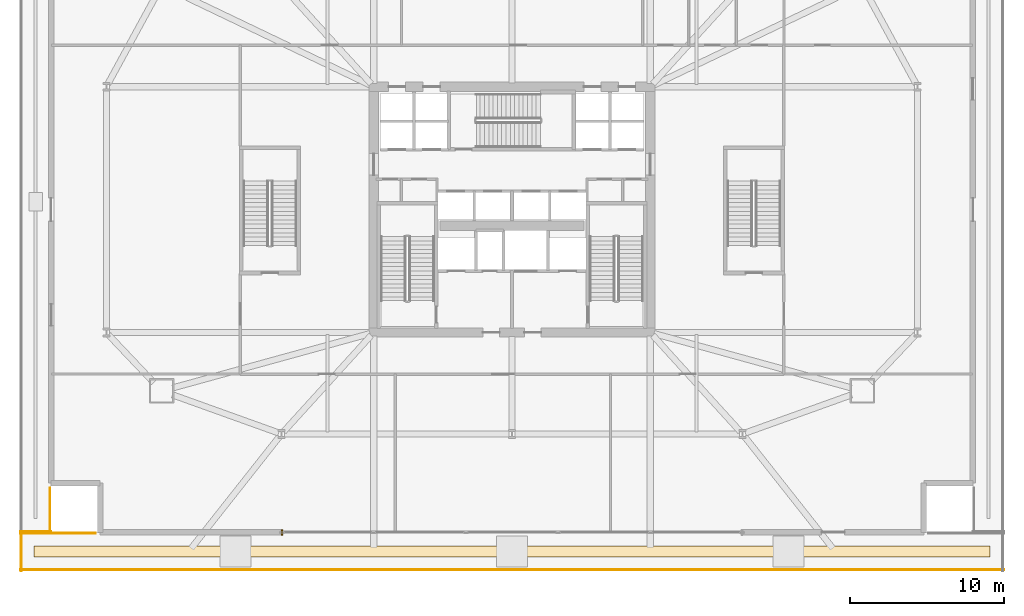
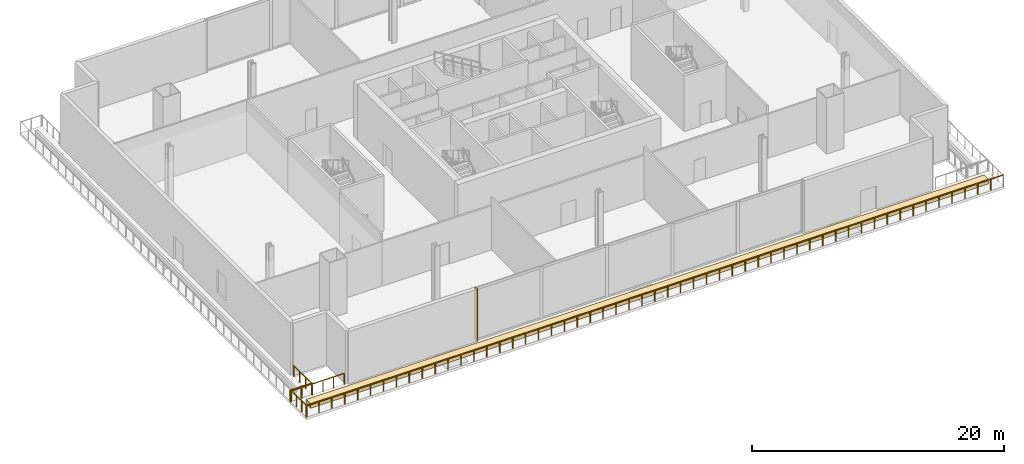
# One storey, part 14 of 20: 5 railings, 2 coverings.
"""IFC4 building model written with IfcOpenShell, lengths in metres."""

from ifc_helpers import new_model, si_unit, direction, frame, origin, origin_2d, place, context, subcontext, project, spatial, polyline, rectangle, outline, extrude, source, transform, mapped, material, layer, layer_set, type_object, element, save


model = new_model("IFC4")

# Units and contexts
model_context = context("Model", 3, precision=1e-05, world=origin(), true_north=direction((0.0, 1.0)))
body_context = subcontext(model_context, "Body", "Model", "MODEL_VIEW")
ifc_project = project(units=[si_unit("LENGTHUNIT", "METRE"), si_unit("AREAUNIT", "SQUARE_METRE"), si_unit("VOLUMEUNIT", "CUBIC_METRE"), si_unit("PLANEANGLEUNIT", "RADIAN"), si_unit("MASSUNIT", "GRAM", prefix="KILO")], contexts=[model_context])

# Site, building, storey
site_placement = place(None, origin())
site = spatial("IfcSite", under=ifc_project, at=site_placement, CompositionType="ELEMENT")
building_placement = place(site_placement, origin())
building = spatial("IfcBuilding", under=site, at=building_placement, Name="Haldenkirk Collegiate Tower", CompositionType="ELEMENT")
storey_placement = place(building_placement, frame((0.0, 0.0, 6.0)))
storey = spatial("IfcBuildingStorey", under=building, at=storey_placement, Name="L01", CompositionType="ELEMENT", Elevation=6.0)

# Covering
ifc_material_1 = material(Name="Precast concrete f'c 40 MPa", Category="concrete")
ifc_layer_1 = layer(ifc_material_1, 0.449951171875)
ifc_layer_set_1 = layer_set([ifc_layer_1], Name="Precast concrete f'c 40 MPa")
covering_type_1 = type_object("IfcCoveringType", Name="COV-PLANTER-450", PredefinedType="USERDEFINED", material=ifc_layer_set_1)
covering_1_placement = place(storey_placement, origin())
element("IfcCovering", 1, at=covering_1_placement, inside=storey, type_object=covering_type_1, Name="L01 planted garden planter bed", ObjectType="PLANTER", PredefinedType="USERDEFINED", context=body_context, shape_type="SweptSolid", body=[
    extrude(outline(polyline([(4.89990234375, 3.39990234375), (4.89990234375, 4.10009765625), (67.10009765625, 4.10009765625), (67.10009765625, 3.39990234375), (4.89990234375, 3.39990234375)])), origin(), (0.0, 0.0, 1.0), 0.449951171875),
])

# Railings
ifc_material_2 = material(Name="Anodised architectural bronze aluminium", Category="aluminium")
railing_type = type_object("IfcRailingType", Name="RLG-TERR-BALUSTRADE-1100", PredefinedType="BALUSTRADE", material=ifc_material_2)
railing_1_placement = place(storey_placement, frame((4.0, 2.56005859375, 0.0)))
element("IfcRailing", 2, at=railing_1_placement, inside=storey, type_object=railing_type, Name="L01 terrace guard balustrade 1-1", PredefinedType="BALUSTRADE", context=body_context, shape_type="SweptSolid", body=[
    extrude(rectangle(XDim=0.048095703125, YDim=0.048095703125, at=origin_2d()), frame((0.0, 0.0, 1.076171875), z_axis=(1.0, 0.0, 0.0), x_axis=(0.0, 1.0, 0.0)), (0.0, 0.0, 1.0), 64.0),
    extrude(rectangle(XDim=0.0419921875, YDim=0.0419921875, at=origin_2d()), origin(), (0.0, 0.0, 1.0), 1.052001953125),
    extrude(rectangle(XDim=0.0419921875, YDim=0.0419921875, at=origin_2d()), frame((1.185302734375, 0.0, 0.0)), (0.0, 0.0, 1.0), 1.052001953125),
    extrude(rectangle(XDim=0.0419921875, YDim=0.0419921875, at=origin_2d()), frame((2.370361328125, 0.0, 0.0)), (0.0, 0.0, 1.0), 1.052001953125),
    extrude(rectangle(XDim=0.0419921875, YDim=0.0419921875, at=origin_2d()), frame((3.5556640625, 0.0, 0.0)), (0.0, 0.0, 1.0), 1.052001953125),
    extrude(rectangle(XDim=0.0419921875, YDim=0.0419921875, at=origin_2d()), frame((4.74072265625, 0.0, 0.0)), (0.0, 0.0, 1.0), 1.052001953125),
    extrude(rectangle(XDim=0.0419921875, YDim=0.0419921875, at=origin_2d()), frame((5.926025390625, 0.0, 0.0)), (0.0, 0.0, 1.0), 1.052001953125),
    extrude(rectangle(XDim=0.0419921875, YDim=0.0419921875, at=origin_2d()), frame((7.111083984375, 0.0, 0.0)), (0.0, 0.0, 1.0), 1.052001953125),
    extrude(rectangle(XDim=0.0419921875, YDim=0.0419921875, at=origin_2d()), frame((8.29638671875, 0.0, 0.0)), (0.0, 0.0, 1.0), 1.052001953125),
    extrude(rectangle(XDim=0.0419921875, YDim=0.0419921875, at=origin_2d()), frame((9.4814453125, 0.0, 0.0)), (0.0, 0.0, 1.0), 1.052001953125),
    extrude(rectangle(XDim=0.0419921875, YDim=0.0419921875, at=origin_2d()), frame((10.666748046875, 0.0, 0.0)), (0.0, 0.0, 1.0), 1.052001953125),
    extrude(rectangle(XDim=0.0419921875, YDim=0.0419921875, at=origin_2d()), frame((11.851806640625, 0.0, 0.0)), (0.0, 0.0, 1.0), 1.052001953125),
    extrude(rectangle(XDim=0.0419921875, YDim=0.0419921875, at=origin_2d()), frame((13.037109375, 0.0, 0.0)), (0.0, 0.0, 1.0), 1.052001953125),
    extrude(rectangle(XDim=0.0419921875, YDim=0.0419921875, at=origin_2d()), frame((14.22216796875, 0.0, 0.0)), (0.0, 0.0, 1.0), 1.052001953125),
    extrude(rectangle(XDim=0.0419921875, YDim=0.0419921875, at=origin_2d()), frame((15.407470703125, 0.0, 0.0)), (0.0, 0.0, 1.0), 1.052001953125),
    extrude(rectangle(XDim=0.0419921875, YDim=0.0419921875, at=origin_2d()), frame((16.592529296875, 0.0, 0.0)), (0.0, 0.0, 1.0), 1.052001953125),
    extrude(rectangle(XDim=0.0419921875, YDim=0.0419921875, at=origin_2d()), frame((17.77783203125, 0.0, 0.0)), (0.0, 0.0, 1.0), 1.052001953125),
    extrude(rectangle(XDim=0.0419921875, YDim=0.0419921875, at=origin_2d()), frame((18.962890625, 0.0, 0.0)), (0.0, 0.0, 1.0), 1.052001953125),
    extrude(rectangle(XDim=0.0419921875, YDim=0.0419921875, at=origin_2d()), frame((20.148193359375, 0.0, 0.0)), (0.0, 0.0, 1.0), 1.052001953125),
    extrude(rectangle(XDim=0.0419921875, YDim=0.0419921875, at=origin_2d()), frame((21.333251953125, 0.0, 0.0)), (0.0, 0.0, 1.0), 1.052001953125),
    extrude(rectangle(XDim=0.0419921875, YDim=0.0419921875, at=origin_2d()), frame((22.5185546875, 0.0, 0.0)), (0.0, 0.0, 1.0), 1.052001953125),
    extrude(rectangle(XDim=0.0419921875, YDim=0.0419921875, at=origin_2d()), frame((23.70361328125, 0.0, 0.0)), (0.0, 0.0, 1.0), 1.052001953125),
    extrude(rectangle(XDim=0.0419921875, YDim=0.0419921875, at=origin_2d()), frame((24.888916015625, 0.0, 0.0)), (0.0, 0.0, 1.0), 1.052001953125),
    extrude(rectangle(XDim=0.0419921875, YDim=0.0419921875, at=origin_2d()), frame((26.073974609375, 0.0, 0.0)), (0.0, 0.0, 1.0), 1.052001953125),
    extrude(rectangle(XDim=0.0419921875, YDim=0.0419921875, at=origin_2d()), frame((27.25927734375, 0.0, 0.0)), (0.0, 0.0, 1.0), 1.052001953125),
    extrude(rectangle(XDim=0.0419921875, YDim=0.0419921875, at=origin_2d()), frame((28.4443359375, 0.0, 0.0)), (0.0, 0.0, 1.0), 1.052001953125),
    extrude(rectangle(XDim=0.0419921875, YDim=0.0419921875, at=origin_2d()), frame((29.629638671875, 0.0, 0.0)), (0.0, 0.0, 1.0), 1.052001953125),
    extrude(rectangle(XDim=0.0419921875, YDim=0.0419921875, at=origin_2d()), frame((30.814697265625, 0.0, 0.0)), (0.0, 0.0, 1.0), 1.052001953125),
    extrude(rectangle(XDim=0.0419921875, YDim=0.0419921875, at=origin_2d()), frame((32.0, 0.0, 0.0)), (0.0, 0.0, 1.0), 1.052001953125),
    extrude(rectangle(XDim=0.0419921875, YDim=0.0419921875, at=origin_2d()), frame((33.185302734375, 0.0, 0.0)), (0.0, 0.0, 1.0), 1.052001953125),
    extrude(rectangle(XDim=0.0419921875, YDim=0.0419921875, at=origin_2d()), frame((34.370361328125, 0.0, 0.0)), (0.0, 0.0, 1.0), 1.052001953125),
    extrude(rectangle(XDim=0.0419921875, YDim=0.0419921875, at=origin_2d()), frame((35.5556640625, 0.0, 0.0)), (0.0, 0.0, 1.0), 1.052001953125),
    extrude(rectangle(XDim=0.0419921875, YDim=0.0419921875, at=origin_2d()), frame((36.74072265625, 0.0, 0.0)), (0.0, 0.0, 1.0), 1.052001953125),
    extrude(rectangle(XDim=0.0419921875, YDim=0.0419921875, at=origin_2d()), frame((37.926025390625, 0.0, 0.0)), (0.0, 0.0, 1.0), 1.052001953125),
    extrude(rectangle(XDim=0.0419921875, YDim=0.0419921875, at=origin_2d()), frame((39.111083984375, 0.0, 0.0)), (0.0, 0.0, 1.0), 1.052001953125),
    extrude(rectangle(XDim=0.0419921875, YDim=0.0419921875, at=origin_2d()), frame((40.29638671875, 0.0, 0.0)), (0.0, 0.0, 1.0), 1.052001953125),
    extrude(rectangle(XDim=0.0419921875, YDim=0.0419921875, at=origin_2d()), frame((41.4814453125, 0.0, 0.0)), (0.0, 0.0, 1.0), 1.052001953125),
    extrude(rectangle(XDim=0.0419921875, YDim=0.0419921875, at=origin_2d()), frame((42.666748046875, 0.0, 0.0)), (0.0, 0.0, 1.0), 1.052001953125),
    extrude(rectangle(XDim=0.0419921875, YDim=0.0419921875, at=origin_2d()), frame((43.851806640625, 0.0, 0.0)), (0.0, 0.0, 1.0), 1.052001953125),
    extrude(rectangle(XDim=0.0419921875, YDim=0.0419921875, at=origin_2d()), frame((45.037109375, 0.0, 0.0)), (0.0, 0.0, 1.0), 1.052001953125),
    extrude(rectangle(XDim=0.0419921875, YDim=0.0419921875, at=origin_2d()), frame((46.22216796875, 0.0, 0.0)), (0.0, 0.0, 1.0), 1.052001953125),
    extrude(rectangle(XDim=0.0419921875, YDim=0.0419921875, at=origin_2d()), frame((47.407470703125, 0.0, 0.0)), (0.0, 0.0, 1.0), 1.052001953125),
    extrude(rectangle(XDim=0.0419921875, YDim=0.0419921875, at=origin_2d()), frame((48.592529296875, 0.0, 0.0)), (0.0, 0.0, 1.0), 1.052001953125),
    extrude(rectangle(XDim=0.0419921875, YDim=0.0419921875, at=origin_2d()), frame((49.77783203125, 0.0, 0.0)), (0.0, 0.0, 1.0), 1.052001953125),
    extrude(rectangle(XDim=0.0419921875, YDim=0.0419921875, at=origin_2d()), frame((50.962890625, 0.0, 0.0)), (0.0, 0.0, 1.0), 1.052001953125),
    extrude(rectangle(XDim=0.0419921875, YDim=0.0419921875, at=origin_2d()), frame((52.148193359375, 0.0, 0.0)), (0.0, 0.0, 1.0), 1.052001953125),
    extrude(rectangle(XDim=0.0419921875, YDim=0.0419921875, at=origin_2d()), frame((53.333251953125, 0.0, 0.0)), (0.0, 0.0, 1.0), 1.052001953125),
    extrude(rectangle(XDim=0.0419921875, YDim=0.0419921875, at=origin_2d()), frame((54.5185546875, 0.0, 0.0)), (0.0, 0.0, 1.0), 1.052001953125),
    extrude(rectangle(XDim=0.0419921875, YDim=0.0419921875, at=origin_2d()), frame((55.70361328125, 0.0, 0.0)), (0.0, 0.0, 1.0), 1.052001953125),
    extrude(rectangle(XDim=0.0419921875, YDim=0.0419921875, at=origin_2d()), frame((56.888916015625, 0.0, 0.0)), (0.0, 0.0, 1.0), 1.052001953125),
    extrude(rectangle(XDim=0.0419921875, YDim=0.0419921875, at=origin_2d()), frame((58.073974609375, 0.0, 0.0)), (0.0, 0.0, 1.0), 1.052001953125),
    extrude(rectangle(XDim=0.0419921875, YDim=0.0419921875, at=origin_2d()), frame((59.25927734375, 0.0, 0.0)), (0.0, 0.0, 1.0), 1.052001953125),
    extrude(rectangle(XDim=0.0419921875, YDim=0.0419921875, at=origin_2d()), frame((60.4443359375, 0.0, 0.0)), (0.0, 0.0, 1.0), 1.052001953125),
    extrude(rectangle(XDim=0.0419921875, YDim=0.0419921875, at=origin_2d()), frame((61.629638671875, 0.0, 0.0)), (0.0, 0.0, 1.0), 1.052001953125),
    extrude(rectangle(XDim=0.0419921875, YDim=0.0419921875, at=origin_2d()), frame((62.814697265625, 0.0, 0.0)), (0.0, 0.0, 1.0), 1.052001953125),
    extrude(rectangle(XDim=0.0419921875, YDim=0.0419921875, at=origin_2d()), frame((64.0, 0.0, 0.0)), (0.0, 0.0, 1.0), 1.052001953125),
])
railing_2_placement = place(storey_placement, frame((8.8798828125, 4.93994140625, 0.0)))
element("IfcRailing", 3, at=railing_2_placement, inside=storey, type_object=railing_type, Name="L01 terrace guard balustrade 3-2", PredefinedType="BALUSTRADE", context=body_context, shape_type="SweptSolid", body=[
    extrude(rectangle(XDim=0.048095703125, YDim=0.048095703125, at=origin_2d()), frame((0.0, 0.0, 1.076171875), z_axis=(-1.0, 0.0, 0.0), x_axis=(0.0, -1.0, 0.0)), (0.0, 0.0, 1.0), 4.8798828125),
    extrude(rectangle(XDim=0.0419921875, YDim=0.0419921875, at=origin_2d()), origin(), (0.0, 0.0, 1.0), 1.052001953125),
    extrude(rectangle(XDim=0.0419921875, YDim=0.0419921875, at=origin_2d()), frame((-0.97607421875, 0.0, 0.0)), (0.0, 0.0, 1.0), 1.052001953125),
    extrude(rectangle(XDim=0.0419921875, YDim=0.0419921875, at=origin_2d()), frame((-1.951904296875, 0.0, 0.0)), (0.0, 0.0, 1.0), 1.052001953125),
    extrude(rectangle(XDim=0.0419921875, YDim=0.0419921875, at=origin_2d()), frame((-2.927978515625, 0.0, 0.0)), (0.0, 0.0, 1.0), 1.052001953125),
    extrude(rectangle(XDim=0.0419921875, YDim=0.0419921875, at=origin_2d()), frame((-3.90380859375, 0.0, 0.0)), (0.0, 0.0, 1.0), 1.052001953125),
    extrude(rectangle(XDim=0.0419921875, YDim=0.0419921875, at=origin_2d()), frame((-4.8798828125, 0.0, 0.0)), (0.0, 0.0, 1.0), 1.052001953125),
])
railing_3_placement = place(storey_placement, frame((4.06005859375, 5.0, 0.0)))
element("IfcRailing", 4, at=railing_3_placement, inside=storey, type_object=railing_type, Name="L01 terrace guard balustrade 4-1", PredefinedType="BALUSTRADE", context=body_context, shape_type="SweptSolid", body=[
    extrude(rectangle(XDim=0.048095703125, YDim=0.048095703125, at=origin_2d()), frame((0.0, 0.0, 1.076171875), z_axis=(0.0, -1.0, 0.0), x_axis=(1.0, 0.0, 0.0)), (0.0, 0.0, 1.0), 2.5),
    extrude(rectangle(XDim=0.0419921875, YDim=0.0419921875, at=origin_2d()), origin(), (0.0, 0.0, 1.0), 1.052001953125),
    extrude(rectangle(XDim=0.0419921875, YDim=0.0419921875, at=origin_2d()), frame((0.0, -0.833251953125, 0.0)), (0.0, 0.0, 1.0), 1.052001953125),
    extrude(rectangle(XDim=0.0419921875, YDim=0.0419921875, at=origin_2d()), frame((0.0, -1.666748046875, 0.0)), (0.0, 0.0, 1.0), 1.052001953125),
    extrude(rectangle(XDim=0.0419921875, YDim=0.0419921875, at=origin_2d()), frame((0.0, -2.5, 0.0)), (0.0, 0.0, 1.0), 1.052001953125),
])
railing_4_placement = place(storey_placement, frame((4.0, 5.06005859375, 0.0)))
element("IfcRailing", 5, at=railing_4_placement, inside=storey, type_object=railing_type, Name="L01 terrace guard balustrade 1-1", PredefinedType="BALUSTRADE", context=body_context, shape_type="SweptSolid", body=[
    extrude(rectangle(XDim=0.048095703125, YDim=0.048095703125, at=origin_2d()), frame((0.0, 0.0, 1.076171875), z_axis=(1.0, 0.0, 0.0), x_axis=(0.0, 1.0, 0.0)), (0.0, 0.0, 1.0), 2.0),
    extrude(rectangle(XDim=0.0419921875, YDim=0.0419921875, at=origin_2d()), origin(), (0.0, 0.0, 1.0), 1.052001953125),
    extrude(rectangle(XDim=0.0419921875, YDim=0.0419921875, at=origin_2d()), frame((1.0, 0.0, 0.0)), (0.0, 0.0, 1.0), 1.052001953125),
    extrude(rectangle(XDim=0.0419921875, YDim=0.0419921875, at=origin_2d()), frame((2.0, 0.0, 0.0)), (0.0, 0.0, 1.0), 1.052001953125),
])
railing_5_placement = place(storey_placement, frame((5.93994140625, 5.0, 0.0)))
element("IfcRailing", 6, at=railing_5_placement, inside=storey, type_object=railing_type, Name="L01 terrace guard balustrade 2-1", PredefinedType="BALUSTRADE", context=body_context, shape_type="SweptSolid", body=[
    extrude(rectangle(XDim=0.048095703125, YDim=0.048095703125, at=origin_2d()), frame((0.0, 0.0, 1.076171875), z_axis=(0.0, 1.0, 0.0), x_axis=(-1.0, 0.0, 0.0)), (0.0, 0.0, 1.0), 2.8798828125),
    extrude(rectangle(XDim=0.0419921875, YDim=0.0419921875, at=origin_2d()), origin(), (0.0, 0.0, 1.0), 1.052001953125),
    extrude(rectangle(XDim=0.0419921875, YDim=0.0419921875, at=origin_2d()), frame((0.0, 0.9599609375, 0.0)), (0.0, 0.0, 1.0), 1.052001953125),
    extrude(rectangle(XDim=0.0419921875, YDim=0.0419921875, at=origin_2d()), frame((0.0, 1.919921875, 0.0)), (0.0, 0.0, 1.0), 1.052001953125),
    extrude(rectangle(XDim=0.0419921875, YDim=0.0419921875, at=origin_2d()), frame((0.0, 2.8798828125, 0.0)), (0.0, 0.0, 1.0), 1.052001953125),
])

# Covering
ifc_layer_2 = layer(ifc_material_2, 0.06005859375)
ifc_layer_set_2 = layer_set([ifc_layer_2], Name="Anodised architectural bronze aluminium")
covering_type_2 = type_object("IfcCoveringType", Name="COV-CLAD-BRONZE-60", PredefinedType="CLADDING", material=ifc_layer_set_2)
shared_shape = source(origin(), body_context, "Body", "SweptSolid", [
    extrude(rectangle(XDim=0.1201171875, YDim=0.360107421875, at=origin_2d()), origin(), (0.0, 0.0, 1.0), 5.070068359375),
])
covering_2_placement = place(storey_placement, frame((21.031982421875, 5.0, 0.0), z_axis=(0.0, 0.0, 1.0), x_axis=(-1.0, 0.0, 0.0)))
element("IfcCovering", 7, at=covering_2_placement, inside=storey, type_object=covering_type_2, Name="L01 podium curtain-wall bronze jamb closure 1JR", PredefinedType="CLADDING", context=body_context, shape_type="MappedRepresentation", body=[
    mapped(shared_shape, transform((0.0, 0.0, 0.0), x_axis=(1.0, 0.0, 0.0), y_axis=(0.0, 1.0, 0.0), z_axis=(0.0, 0.0, 1.0), scale=1.0)),
])

save(model, "model.ifc")
